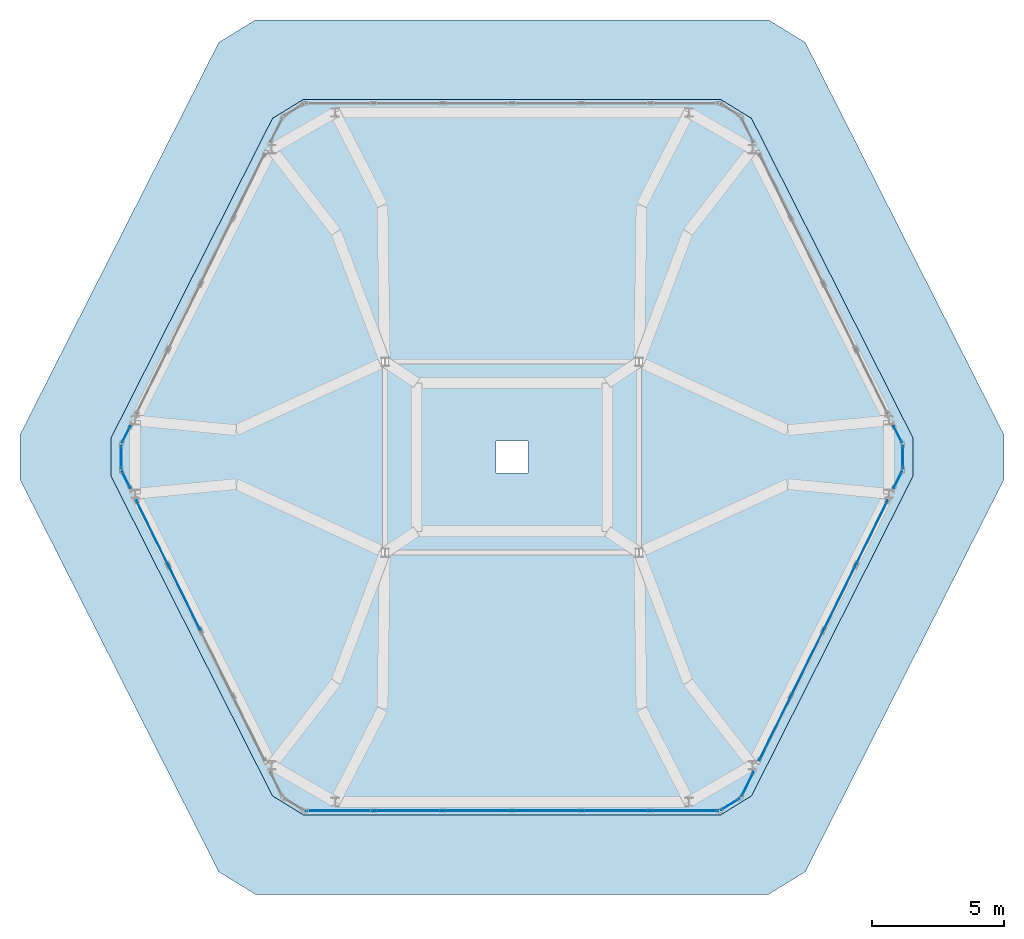
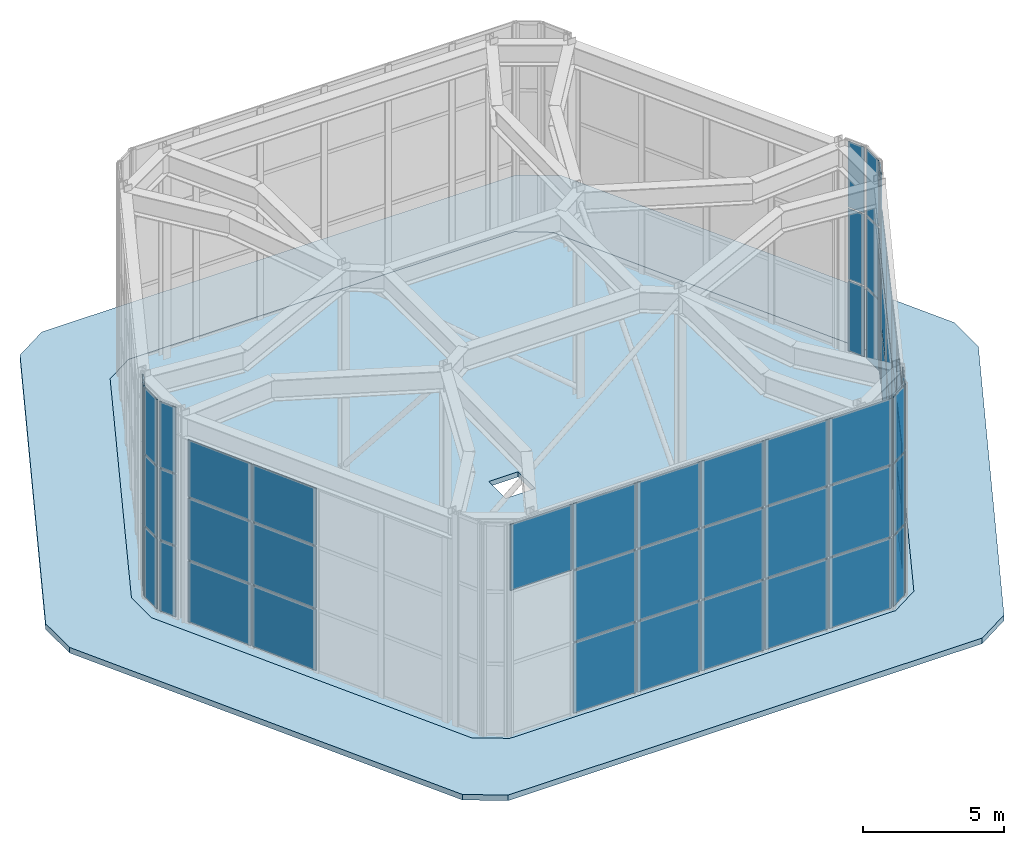
# One storey, part 9 of 10: 58 plates, 2 slabs, 11 elements without a shape of their own.
"""IFC4 building model written with IfcOpenShell, lengths in metres."""

import ifcopenshell
import ifcopenshell.guid

model = None  # the IFC model being written
_history = None  # IfcOwnerHistory: only IFC2X3 demands one
_inside = {}  # id of a spatial element -> (the spatial element, [elements in it])
_under = {}  # id of a project, library or spatial element -> (it, [spatial elements below it])
_declared = {}  # id of a project -> (the project, [libraries it declares])
_typed = {}  # id of a type object -> (the type object, [elements of that type])
_made_of = {}  # id of a material, layer set ... -> (it, [elements and type objects made of it])


def new_model(schema):
    """Start an empty IFC model of exactly this schema.

    Asked for "IFC4X3", IfcOpenShell would pick the latest addendum, in which some entities
    have other attributes; the version numbers below select the first issue.
    IFC2X3 requires an IfcOwnerHistory on every rooted entity: one is made here for all.
    """
    global model, _history
    if schema == "IFC4X3":
        model = ifcopenshell.file(schema_version=(4, 3, 0, 0))
    else:
        model = ifcopenshell.file(schema=schema)
    _inside.clear()
    _under.clear()
    _declared.clear()
    _typed.clear()
    _made_of.clear()
    _history = None
    if model.schema == "IFC2X3":
        org = make("IfcOrganization", Name="unknown")
        user = make(
            "IfcPersonAndOrganization",
            ThePerson=make("IfcPerson", FamilyName="unknown"),
            TheOrganization=org,
        )
        app = make(
            "IfcApplication",
            ApplicationDeveloper=org,
            Version="unknown",
            ApplicationFullName="unknown",
            ApplicationIdentifier="unknown",
        )
        _history = make(
            "IfcOwnerHistory",
            OwningUser=user,
            OwningApplication=app,
            ChangeAction="ADDED",
            CreationDate=0,
        )
    return model


def make(cls, **values):
    """One entity of the class cls with the attributes given. An attribute that is None is left unset."""
    return model.create_entity(
        cls, **{name: value for name, value in values.items() if value is not None}
    )


def rooted(cls, **values):
    """An entity with a GlobalId (a new one), such as an element, a storey or a relation."""
    return make(cls, GlobalId=ifcopenshell.guid.new(), OwnerHistory=_history, **values)


def si_unit(unit_type, name, prefix=None):
    """IfcSIUnit, for example si_unit("LENGTHUNIT", "METRE", prefix="MILLI")."""
    return make("IfcSIUnit", UnitType=unit_type, Prefix=prefix, Name=name)


def assignment(units):
    """IfcUnitAssignment: the units of a project."""
    return None if units is None else make("IfcUnitAssignment", Units=units)


def point(xyz):
    """IfcCartesianPoint."""
    return None if xyz is None else make("IfcCartesianPoint", Coordinates=xyz)


def direction(xyz):
    """IfcDirection."""
    return None if xyz is None else make("IfcDirection", DirectionRatios=xyz)


def frame(location, z_axis=None, x_axis=None):
    """IfcAxis2Placement3D, a coordinate frame: its origin and axes. An axis left out is left unset."""
    return make(
        "IfcAxis2Placement3D",
        Location=point(location),
        Axis=direction(z_axis),
        RefDirection=direction(x_axis),
    )


def frame_2d(location, x_axis=None):
    """IfcAxis2Placement2D, a coordinate frame in the plane: its origin and x axis."""
    return make(
        "IfcAxis2Placement2D", Location=point(location), RefDirection=direction(x_axis)
    )


def origin():
    """The frame at (0, 0, 0) with its axes left unset."""
    return frame((0.0, 0.0, 0.0))


def origin_2d():
    """The frame at (0, 0) in the plane with its x axis left unset."""
    return frame_2d((0.0, 0.0))


def place(relative_to, where):
    """IfcLocalPlacement: puts the frame where relative to a parent placement (None: the world)."""
    return make(
        "IfcLocalPlacement", PlacementRelTo=relative_to, RelativePlacement=where
    )


def context(
    kind, dimensions, precision=None, world=None, true_north=None, identifier=None
):
    """IfcGeometricRepresentationContext, for example the 3D "Model" context."""
    return make(
        "IfcGeometricRepresentationContext",
        ContextIdentifier=identifier,
        ContextType=kind,
        CoordinateSpaceDimension=dimensions,
        Precision=precision,
        WorldCoordinateSystem=world,
        TrueNorth=true_north,
    )


def subcontext(parent, identifier, kind, view, scale=None):
    """IfcGeometricRepresentationSubContext, for example "Body" below "Model"."""
    return make(
        "IfcGeometricRepresentationSubContext",
        ContextIdentifier=identifier,
        ContextType=kind,
        ParentContext=parent,
        TargetScale=scale,
        TargetView=view,
    )


def project(units=None, contexts=None):
    """IfcProject with its units and contexts."""
    return rooted(
        "IfcProject",
        Name="project",
        RepresentationContexts=contexts,
        UnitsInContext=assignment(units),
    )


def spatial(cls, under=None, at=None, **own):
    """A site, building, storey or space (cls), placed at a placement, below another one or the project."""
    s = rooted(cls, ObjectPlacement=at, **own)
    if under is not None:
        _under.setdefault(under.id(), (under, []))[1].append(s)
    return s


def polyline(points):
    """IfcPolyline through the points."""
    return make("IfcPolyline", Points=[point(p) for p in points])


def profile(cls, at=None, kind="AREA", **sizes):
    """A parametric profile (cls). Its sizes go by their IFC names, for example OverallWidth=200.0."""
    return make(cls, ProfileType=kind, Position=at, **sizes)


def rectangle(**sizes):
    """IfcRectangleProfileDef."""
    return profile("IfcRectangleProfileDef", **sizes)


def outline(outer, holes=None, kind="AREA"):
    """IfcArbitraryClosedProfileDef: a profile drawn as a closed curve; with holes, ...WithVoids."""
    if holes is None:
        return make("IfcArbitraryClosedProfileDef", ProfileType=kind, OuterCurve=outer)
    return make(
        "IfcArbitraryProfileDefWithVoids",
        ProfileType=kind,
        OuterCurve=outer,
        InnerCurves=holes,
    )


def extrude(swept, where, along, depth):
    """IfcExtrudedAreaSolid: the profile swept, set in the frame where, extruded along a direction by depth."""
    return make(
        "IfcExtrudedAreaSolid",
        SweptArea=swept,
        Position=where,
        ExtrudedDirection=direction(along),
        Depth=depth,
    )


def shape(context_of_items, identifier, shape_type, items):
    """IfcShapeRepresentation: the items that make up one representation, for example the "Body"."""
    return make(
        "IfcShapeRepresentation",
        ContextOfItems=context_of_items,
        RepresentationIdentifier=identifier,
        RepresentationType=shape_type,
        Items=items,
    )


def material(Name=None, Category=None):
    """IfcMaterial."""
    return make("IfcMaterial", Name=Name, Category=Category)


def layer(
    of_material, thickness, ventilated=None, Name=None, Category=None, Priority=None
):
    """IfcMaterialLayer: one layer of a wall or slab, of a material (None: an air gap)."""
    return make(
        "IfcMaterialLayer",
        Material=of_material,
        LayerThickness=thickness,
        IsVentilated=ventilated,
        Name=Name,
        Category=Category,
        Priority=Priority,
    )


def layer_set(layers, Name=None):
    """IfcMaterialLayerSet."""
    return make("IfcMaterialLayerSet", MaterialLayers=layers, LayerSetName=Name)


def made_of(thing, what):
    """Note that an element or type object is made of a material, layer set ...; save() writes the relation."""
    if what is not None:
        _made_of.setdefault(what.id(), (what, []))[1].append(thing)
    return thing


def type_object(cls, material=None, **own):
    """A type object (cls), such as IfcWallType, which elements share."""
    return made_of(rooted(cls, **own), material)


def element(
    cls,
    number,
    at=None,
    inside=None,
    cuts=None,
    type_object=None,
    material=None,
    context=None,
    identifier="Body",
    shape_type=None,
    held_by="IfcProductDefinitionShape",
    body=None,
    shapes=None,
    **own,
):
    """One element of the class cls, such as IfcWall. Its Tag is "e" and its number.

    at: its placement. inside: the storey or other place that contains it. cuts: it is an
    opening in that element (IfcRelVoidsElement). A single representation is given by context,
    identifier, shape_type and body (its items); several are given by shapes. held_by: the class
    of the entity that holds the representations. save() writes the other relations.
    """
    e = rooted(cls, Tag="e%d" % number, ObjectPlacement=at, **own)
    if body is not None:
        shapes = [shape(context, identifier, shape_type, body)]
    if shapes is not None:
        e.Representation = make(held_by, Representations=shapes)
    if inside is not None:
        _inside.setdefault(inside.id(), (inside, []))[1].append(e)
    if cuts is not None:
        rooted(
            "IfcRelVoidsElement", RelatingBuildingElement=cuts, RelatedOpeningElement=e
        )
    if type_object is not None:
        _typed.setdefault(type_object.id(), (type_object, []))[1].append(e)
    return made_of(e, material)


def aggregate(whole, parts):
    """IfcRelAggregates: a whole, such as a stair, and the parts it consists of."""
    return rooted("IfcRelAggregates", RelatingObject=whole, RelatedObjects=parts)


def save(model, path):
    """Write the relations noted so far, then the file.

    IfcRelAggregates (storeys below a building ...), IfcRelContainedInSpatialStructure (elements
    in a storey), IfcRelDefinesByType, IfcRelAssociatesMaterial and IfcRelDeclares: one each for
    every whole, place, type object, material and project.
    """
    for whole, parts in _under.values():
        aggregate(whole, parts)
    for where, things in _inside.values():
        rooted(
            "IfcRelContainedInSpatialStructure",
            RelatedElements=things,
            RelatingStructure=where,
        )
    for kind, things in _typed.values():
        rooted("IfcRelDefinesByType", RelatedObjects=things, RelatingType=kind)
    for what, things in _made_of.values():
        rooted("IfcRelAssociatesMaterial", RelatedObjects=things, RelatingMaterial=what)
    for by, libraries in _declared.values():
        rooted("IfcRelDeclares", RelatingContext=by, RelatedDefinitions=libraries)
    model.write(path)


model = new_model("IFC4")

# Units and contexts
model_context = context("Model", 3, precision=1e-05, world=origin(), true_north=direction((0.0, 1.0)))
body_context = subcontext(model_context, "Body", "Model", "MODEL_VIEW")
ifc_project = project(units=[si_unit("LENGTHUNIT", "METRE"), si_unit("AREAUNIT", "SQUARE_METRE"), si_unit("VOLUMEUNIT", "CUBIC_METRE"), si_unit("PLANEANGLEUNIT", "RADIAN"), si_unit("MASSUNIT", "GRAM", prefix="KILO")], contexts=[model_context])

# Site, building, storey
site_placement = place(None, origin())
site = spatial("IfcSite", under=ifc_project, at=site_placement, CompositionType="ELEMENT")
building_placement = place(site_placement, origin())
building = spatial("IfcBuilding", under=site, at=building_placement, Name="Cinnabar Lancet Tower", CompositionType="ELEMENT")
storey_placement = place(building_placement, frame((0.0, 0.0, 314.675048828125)))
storey = spatial("IfcBuildingStorey", under=building, at=storey_placement, Name="L81", CompositionType="ELEMENT", Elevation=314.675048828125)

# Curtain wall, plates
ifc_material_1 = material(Name="Thermally broken bronze-anodized aluminium and low-E glass", Category="aluminium")
ifc_layer_1 = layer(ifc_material_1, 0.179931640625)
ifc_layer_set_1 = layer_set([ifc_layer_1], Name="Thermally broken bronze-anodized aluminium and low-E glass")
curtain_wall_type = type_object("IfcCurtainWallType", Name="ENV-CW-SYS-05", PredefinedType="NOTDEFINED", material=ifc_layer_set_1)
curtain_wall_1_placement = place(storey_placement, origin())
curtain_wall_1 = element("IfcCurtainWall", 1, at=curtain_wall_1_placement, inside=storey, type_object=curtain_wall_type, Name="L81 Faceted Lancet Crown Curtain Wall 2", PredefinedType="NOTDEFINED")
ifc_material_2 = material(Name="Acoustic solar-control low-E laminated glass unit", Category="glass")
ifc_layer_2 = layer(ifc_material_2, 0.035888671875)
ifc_layer_set_2 = layer_set([ifc_layer_2], Name="Acoustic solar-control low-E laminated glass unit")
plate_type = type_object("IfcPlateType", Name="ENV-CW-PNL-36", PredefinedType="CURTAIN_PANEL", material=ifc_layer_set_2)
plate_1_placement = place(storey_placement, frame((25.87841796875, 12.449951171875, 6.26904296875), z_axis=(0.0, 0.0, 1.0), x_axis=(1.0, 0.0, 0.0)))
plate_1 = element("IfcPlate", 2, at=plate_1_placement, type_object=plate_type, Name="CW-05 panel 1.3", PredefinedType="CURTAIN_PANEL", context=body_context, shape_type="SweptSolid", body=[
    extrude(rectangle(XDim=2.524658203125, YDim=0.028076171875, at=origin_2d()), origin(), (0.0, 0.0, 1.0), 2.845947265625),
])
plate_2_placement = place(storey_placement, frame((28.47802734375, 12.449951171875, 0.06005859375), z_axis=(0.0, 0.0, 1.0), x_axis=(1.0, 0.0, 0.0)))
plate_2 = element("IfcPlate", 3, at=plate_2_placement, type_object=plate_type, Name="CW-05 panel 2.1", PredefinedType="CURTAIN_PANEL", context=body_context, shape_type="SweptSolid", body=[
    extrude(rectangle(XDim=2.5546875, YDim=0.028076171875, at=origin_2d()), origin(), (0.0, 0.0, 1.0), 3.030029296875),
])
plate_3_placement = place(storey_placement, frame((28.47802734375, 12.449951171875, 3.14990234375), z_axis=(0.0, 0.0, 1.0), x_axis=(1.0, 0.0, 0.0)))
plate_3 = element("IfcPlate", 4, at=plate_3_placement, type_object=plate_type, Name="CW-05 panel 2.2", PredefinedType="CURTAIN_PANEL", context=body_context, shape_type="SweptSolid", body=[
    extrude(rectangle(XDim=2.5546875, YDim=0.028076171875, at=origin_2d()), origin(), (0.0, 0.0, 1.0), 3.05908203125),
])
plate_4_placement = place(storey_placement, frame((28.47802734375, 12.449951171875, 6.26904296875), z_axis=(0.0, 0.0, 1.0), x_axis=(1.0, 0.0, 0.0)))
plate_4 = element("IfcPlate", 5, at=plate_4_placement, type_object=plate_type, Name="CW-05 panel 2.3", PredefinedType="CURTAIN_PANEL", context=body_context, shape_type="SweptSolid", body=[
    extrude(rectangle(XDim=2.5546875, YDim=0.028076171875, at=origin_2d()), origin(), (0.0, 0.0, 1.0), 2.845947265625),
])
plate_5_placement = place(storey_placement, frame((31.0927734375, 12.449951171875, 0.06005859375), z_axis=(0.0, 0.0, 1.0), x_axis=(1.0, 0.0, 0.0)))
plate_5 = element("IfcPlate", 6, at=plate_5_placement, type_object=plate_type, Name="CW-05 panel 3.1", PredefinedType="CURTAIN_PANEL", context=body_context, shape_type="SweptSolid", body=[
    extrude(rectangle(XDim=2.5546875, YDim=0.028076171875, at=origin_2d()), origin(), (0.0, 0.0, 1.0), 3.030029296875),
])
plate_6_placement = place(storey_placement, frame((31.0927734375, 12.449951171875, 3.14990234375), z_axis=(0.0, 0.0, 1.0), x_axis=(1.0, 0.0, 0.0)))
plate_6 = element("IfcPlate", 7, at=plate_6_placement, type_object=plate_type, Name="CW-05 panel 3.2", PredefinedType="CURTAIN_PANEL", context=body_context, shape_type="SweptSolid", body=[
    extrude(rectangle(XDim=2.5546875, YDim=0.028076171875, at=origin_2d()), origin(), (0.0, 0.0, 1.0), 3.05908203125),
])
plate_7_placement = place(storey_placement, frame((31.0927734375, 12.449951171875, 6.26904296875), z_axis=(0.0, 0.0, 1.0), x_axis=(1.0, 0.0, 0.0)))
plate_7 = element("IfcPlate", 8, at=plate_7_placement, type_object=plate_type, Name="CW-05 panel 3.3", PredefinedType="CURTAIN_PANEL", context=body_context, shape_type="SweptSolid", body=[
    extrude(rectangle(XDim=2.5546875, YDim=0.028076171875, at=origin_2d()), origin(), (0.0, 0.0, 1.0), 2.845947265625),
])
plate_8_placement = place(storey_placement, frame((33.707275390625, 12.449951171875, 0.06005859375), z_axis=(0.0, 0.0, 1.0), x_axis=(1.0, 0.0, 0.0)))
plate_8 = element("IfcPlate", 9, at=plate_8_placement, type_object=plate_type, Name="CW-05 panel 4.1", PredefinedType="CURTAIN_PANEL", context=body_context, shape_type="SweptSolid", body=[
    extrude(rectangle(XDim=2.5546875, YDim=0.028076171875, at=origin_2d()), origin(), (0.0, 0.0, 1.0), 3.030029296875),
])
plate_9_placement = place(storey_placement, frame((33.707275390625, 12.449951171875, 3.14990234375), z_axis=(0.0, 0.0, 1.0), x_axis=(1.0, 0.0, 0.0)))
plate_9 = element("IfcPlate", 10, at=plate_9_placement, type_object=plate_type, Name="CW-05 panel 4.2", PredefinedType="CURTAIN_PANEL", context=body_context, shape_type="SweptSolid", body=[
    extrude(rectangle(XDim=2.5546875, YDim=0.028076171875, at=origin_2d()), origin(), (0.0, 0.0, 1.0), 3.05908203125),
])
plate_10_placement = place(storey_placement, frame((33.707275390625, 12.449951171875, 6.26904296875), z_axis=(0.0, 0.0, 1.0), x_axis=(1.0, 0.0, 0.0)))
plate_10 = element("IfcPlate", 11, at=plate_10_placement, type_object=plate_type, Name="CW-05 panel 4.3", PredefinedType="CURTAIN_PANEL", context=body_context, shape_type="SweptSolid", body=[
    extrude(rectangle(XDim=2.5546875, YDim=0.028076171875, at=origin_2d()), origin(), (0.0, 0.0, 1.0), 2.845947265625),
])
plate_11_placement = place(storey_placement, frame((36.322021484375, 12.449951171875, 0.06005859375), z_axis=(0.0, 0.0, 1.0), x_axis=(1.0, 0.0, 0.0)))
plate_11 = element("IfcPlate", 12, at=plate_11_placement, type_object=plate_type, Name="CW-05 panel 5.1", PredefinedType="CURTAIN_PANEL", context=body_context, shape_type="SweptSolid", body=[
    extrude(rectangle(XDim=2.5546875, YDim=0.028076171875, at=origin_2d()), origin(), (0.0, 0.0, 1.0), 3.030029296875),
])
plate_12_placement = place(storey_placement, frame((36.322021484375, 12.449951171875, 3.14990234375), z_axis=(0.0, 0.0, 1.0), x_axis=(1.0, 0.0, 0.0)))
plate_12 = element("IfcPlate", 13, at=plate_12_placement, type_object=plate_type, Name="CW-05 panel 5.2", PredefinedType="CURTAIN_PANEL", context=body_context, shape_type="SweptSolid", body=[
    extrude(rectangle(XDim=2.5546875, YDim=0.028076171875, at=origin_2d()), origin(), (0.0, 0.0, 1.0), 3.05908203125),
])
plate_13_placement = place(storey_placement, frame((36.322021484375, 12.449951171875, 6.26904296875), z_axis=(0.0, 0.0, 1.0), x_axis=(1.0, 0.0, 0.0)))
plate_13 = element("IfcPlate", 14, at=plate_13_placement, type_object=plate_type, Name="CW-05 panel 5.3", PredefinedType="CURTAIN_PANEL", context=body_context, shape_type="SweptSolid", body=[
    extrude(rectangle(XDim=2.5546875, YDim=0.028076171875, at=origin_2d()), origin(), (0.0, 0.0, 1.0), 2.845947265625),
])
plate_14_placement = place(storey_placement, frame((38.921630859375, 12.449951171875, 0.06005859375), z_axis=(0.0, 0.0, 1.0), x_axis=(1.0, 0.0, 0.0)))
plate_14 = element("IfcPlate", 15, at=plate_14_placement, type_object=plate_type, Name="CW-05 panel 6.1", PredefinedType="CURTAIN_PANEL", context=body_context, shape_type="SweptSolid", body=[
    extrude(rectangle(XDim=2.524658203125, YDim=0.028076171875, at=origin_2d()), origin(), (0.0, 0.0, 1.0), 3.030029296875),
])
plate_15_placement = place(storey_placement, frame((38.921630859375, 12.449951171875, 3.14990234375), z_axis=(0.0, 0.0, 1.0), x_axis=(1.0, 0.0, 0.0)))
plate_15 = element("IfcPlate", 16, at=plate_15_placement, type_object=plate_type, Name="CW-05 panel 6.2", PredefinedType="CURTAIN_PANEL", context=body_context, shape_type="SweptSolid", body=[
    extrude(rectangle(XDim=2.524658203125, YDim=0.028076171875, at=origin_2d()), origin(), (0.0, 0.0, 1.0), 3.05908203125),
])
plate_16_placement = place(storey_placement, frame((38.921630859375, 12.449951171875, 6.26904296875), z_axis=(0.0, 0.0, 1.0), x_axis=(1.0, 0.0, 0.0)))
plate_16 = element("IfcPlate", 17, at=plate_16_placement, type_object=plate_type, Name="CW-05 panel 6.3", PredefinedType="CURTAIN_PANEL", context=body_context, shape_type="SweptSolid", body=[
    extrude(rectangle(XDim=2.524658203125, YDim=0.028076171875, at=origin_2d()), origin(), (0.0, 0.0, 1.0), 2.845947265625),
])
aggregate(curtain_wall_1, [plate_1, plate_2, plate_3, plate_4, plate_5, plate_6, plate_7, plate_8, plate_9, plate_10, plate_11, plate_12, plate_13, plate_14, plate_15, plate_16])

curtain_wall_2_placement = place(storey_placement, origin())
curtain_wall_2 = element("IfcCurtainWall", 18, at=curtain_wall_2_placement, inside=storey, type_object=curtain_wall_type, Name="L81 Faceted Lancet Crown Curtain Wall 3", PredefinedType="NOTDEFINED")
plate_17_placement = place(storey_placement, frame((40.640380859375, 12.696533203125, 0.06005859375), z_axis=(0.0, 0.0, 1.0), x_axis=(0.849259368802, 0.527975874925, 0.0)))
plate_17 = element("IfcPlate", 19, at=plate_17_placement, type_object=plate_type, Name="CW-05 panel 1.1", PredefinedType="CURTAIN_PANEL", context=body_context, shape_type="SweptSolid", body=[
    extrude(rectangle(XDim=0.813720703125, YDim=0.028076171875, at=origin_2d()), origin(), (0.0, 0.0, 1.0), 3.030029296875),
])
plate_18_placement = place(storey_placement, frame((40.640380859375, 12.696533203125, 3.14990234375), z_axis=(0.0, 0.0, 1.0), x_axis=(0.849259368802, 0.527975874925, 0.0)))
plate_18 = element("IfcPlate", 20, at=plate_18_placement, type_object=plate_type, Name="CW-05 panel 1.2", PredefinedType="CURTAIN_PANEL", context=body_context, shape_type="SweptSolid", body=[
    extrude(rectangle(XDim=0.813720703125, YDim=0.028076171875, at=origin_2d()), origin(), (0.0, 0.0, 1.0), 3.05908203125),
])
plate_19_placement = place(storey_placement, frame((40.640380859375, 12.696533203125, 6.26904296875), z_axis=(0.0, 0.0, 1.0), x_axis=(0.849259368802, 0.527975874925, 0.0)))
plate_19 = element("IfcPlate", 21, at=plate_19_placement, type_object=plate_type, Name="CW-05 panel 1.3", PredefinedType="CURTAIN_PANEL", context=body_context, shape_type="SweptSolid", body=[
    extrude(rectangle(XDim=0.813720703125, YDim=0.028076171875, at=origin_2d()), origin(), (0.0, 0.0, 1.0), 2.845947265625),
])
aggregate(curtain_wall_2, [plate_17, plate_18, plate_19])

curtain_wall_3_placement = place(storey_placement, origin())
curtain_wall_3 = element("IfcCurtainWall", 22, at=curtain_wall_3_placement, inside=storey, type_object=curtain_wall_type, Name="L81 Faceted Lancet Crown Curtain Wall 4", PredefinedType="NOTDEFINED")
plate_20_placement = place(storey_placement, frame((41.29052734375, 13.45556640625, 0.06005859375), z_axis=(0.0, 0.0, 1.0), x_axis=(0.443361742062, 0.896342772424, 0.0)))
plate_20 = element("IfcPlate", 23, at=plate_20_placement, type_object=plate_type, Name="CW-05 panel 1.1", PredefinedType="CURTAIN_PANEL", context=body_context, shape_type="SweptSolid", body=[
    extrude(rectangle(XDim=1.0234375, YDim=0.028076171875, at=origin_2d()), origin(), (0.0, 0.0, 1.0), 3.030029296875),
])
plate_21_placement = place(storey_placement, frame((41.29052734375, 13.45556640625, 3.14990234375), z_axis=(0.0, 0.0, 1.0), x_axis=(0.443361742062, 0.896342772424, 0.0)))
plate_21 = element("IfcPlate", 24, at=plate_21_placement, type_object=plate_type, Name="CW-05 panel 1.2", PredefinedType="CURTAIN_PANEL", context=body_context, shape_type="SweptSolid", body=[
    extrude(rectangle(XDim=1.0234375, YDim=0.028076171875, at=origin_2d()), origin(), (0.0, 0.0, 1.0), 3.05908203125),
])
plate_22_placement = place(storey_placement, frame((41.29052734375, 13.45556640625, 6.26904296875), z_axis=(0.0, 0.0, 1.0), x_axis=(0.443361742062, 0.896342772424, 0.0)))
plate_22 = element("IfcPlate", 25, at=plate_22_placement, type_object=plate_type, Name="CW-05 panel 1.3", PredefinedType="CURTAIN_PANEL", context=body_context, shape_type="SweptSolid", body=[
    extrude(rectangle(XDim=1.0234375, YDim=0.028076171875, at=origin_2d()), origin(), (0.0, 0.0, 1.0), 2.845947265625),
])
aggregate(curtain_wall_3, [plate_20, plate_21, plate_22])

curtain_wall_4_placement = place(storey_placement, origin())
curtain_wall_4 = element("IfcCurtainWall", 26, at=curtain_wall_4_placement, inside=storey, type_object=curtain_wall_type, Name="L81 Faceted Lancet Crown Curtain Wall 5", PredefinedType="NOTDEFINED")
plate_23_placement = place(storey_placement, frame((42.32568359375, 15.551513671875, 0.06005859375), z_axis=(0.0, 0.0, 1.0), x_axis=(0.442939207335, 0.896551648599, 0.0)))
plate_23 = element("IfcPlate", 27, at=plate_23_placement, type_object=plate_type, Name="CW-05 panel 1.1", PredefinedType="CURTAIN_PANEL", context=body_context, shape_type="SweptSolid", body=[
    extrude(rectangle(XDim=2.673828125, YDim=0.028076171875, at=origin_2d()), origin(), (0.0, 0.0, 1.0), 2.6279296875),
])
plate_24_placement = place(storey_placement, frame((42.32568359375, 15.551513671875, 2.748046875), z_axis=(0.0, 0.0, 1.0), x_axis=(0.442939207335, 0.896551648599, 0.0)))
plate_24 = element("IfcPlate", 28, at=plate_24_placement, type_object=plate_type, Name="CW-05 panel 1.2", PredefinedType="CURTAIN_PANEL", context=body_context, shape_type="SweptSolid", body=[
    extrude(rectangle(XDim=2.673828125, YDim=0.028076171875, at=origin_2d()), origin(), (0.0, 0.0, 1.0), 2.657958984375),
])
plate_25_placement = place(storey_placement, frame((42.32568359375, 15.551513671875, 5.4658203125), z_axis=(0.0, 0.0, 1.0), x_axis=(0.442939207335, 0.896551648599, 0.0)))
plate_25 = element("IfcPlate", 29, at=plate_25_placement, type_object=plate_type, Name="CW-05 panel 1.3", PredefinedType="CURTAIN_PANEL", context=body_context, shape_type="SweptSolid", body=[
    extrude(rectangle(XDim=2.673828125, YDim=0.028076171875, at=origin_2d()), origin(), (0.0, 0.0, 1.0), 2.468017578125),
])
plate_26_placement = place(storey_placement, frame((43.54345703125, 18.01611328125, 0.06005859375), z_axis=(0.0, 0.0, 1.0), x_axis=(0.442939207335, 0.896551648599, 0.0)))
plate_26 = element("IfcPlate", 30, at=plate_26_placement, type_object=plate_type, Name="CW-05 panel 2.1", PredefinedType="CURTAIN_PANEL", context=body_context, shape_type="SweptSolid", body=[
    extrude(rectangle(XDim=2.703857421875, YDim=0.028076171875, at=origin_2d()), origin(), (0.0, 0.0, 1.0), 2.6279296875),
])
plate_27_placement = place(storey_placement, frame((43.54345703125, 18.01611328125, 2.748046875), z_axis=(0.0, 0.0, 1.0), x_axis=(0.442939207335, 0.896551648599, 0.0)))
plate_27 = element("IfcPlate", 31, at=plate_27_placement, type_object=plate_type, Name="CW-05 panel 2.2", PredefinedType="CURTAIN_PANEL", context=body_context, shape_type="SweptSolid", body=[
    extrude(rectangle(XDim=2.703857421875, YDim=0.028076171875, at=origin_2d()), origin(), (0.0, 0.0, 1.0), 2.657958984375),
])
plate_28_placement = place(storey_placement, frame((43.54345703125, 18.01611328125, 5.4658203125), z_axis=(0.0, 0.0, 1.0), x_axis=(0.442939207335, 0.896551648599, 0.0)))
plate_28 = element("IfcPlate", 32, at=plate_28_placement, type_object=plate_type, Name="CW-05 panel 2.3", PredefinedType="CURTAIN_PANEL", context=body_context, shape_type="SweptSolid", body=[
    extrude(rectangle(XDim=2.703857421875, YDim=0.028076171875, at=origin_2d()), origin(), (0.0, 0.0, 1.0), 2.468017578125),
])
plate_29_placement = place(storey_placement, frame((44.767578125, 20.493896484375, 0.06005859375), z_axis=(0.0, 0.0, 1.0), x_axis=(0.442939207335, 0.896551648599, 0.0)))
plate_29 = element("IfcPlate", 33, at=plate_29_placement, type_object=plate_type, Name="CW-05 panel 3.1", PredefinedType="CURTAIN_PANEL", context=body_context, shape_type="SweptSolid", body=[
    extrude(rectangle(XDim=2.703857421875, YDim=0.028076171875, at=origin_2d()), origin(), (0.0, 0.0, 1.0), 2.6279296875),
])
plate_30_placement = place(storey_placement, frame((44.767578125, 20.493896484375, 2.748046875), z_axis=(0.0, 0.0, 1.0), x_axis=(0.442939207335, 0.896551648599, 0.0)))
plate_30 = element("IfcPlate", 34, at=plate_30_placement, type_object=plate_type, Name="CW-05 panel 3.2", PredefinedType="CURTAIN_PANEL", context=body_context, shape_type="SweptSolid", body=[
    extrude(rectangle(XDim=2.703857421875, YDim=0.028076171875, at=origin_2d()), origin(), (0.0, 0.0, 1.0), 2.657958984375),
])
plate_31_placement = place(storey_placement, frame((44.767578125, 20.493896484375, 5.4658203125), z_axis=(0.0, 0.0, 1.0), x_axis=(0.442939207335, 0.896551648599, 0.0)))
plate_31 = element("IfcPlate", 35, at=plate_31_placement, type_object=plate_type, Name="CW-05 panel 3.3", PredefinedType="CURTAIN_PANEL", context=body_context, shape_type="SweptSolid", body=[
    extrude(rectangle(XDim=2.703857421875, YDim=0.028076171875, at=origin_2d()), origin(), (0.0, 0.0, 1.0), 2.468017578125),
])
plate_32_placement = place(storey_placement, frame((45.9853515625, 22.95849609375, 0.06005859375), z_axis=(0.0, 0.0, 1.0), x_axis=(0.442939207335, 0.896551648599, 0.0)))
plate_32 = element("IfcPlate", 36, at=plate_32_placement, type_object=plate_type, Name="CW-05 panel 4.1", PredefinedType="CURTAIN_PANEL", context=body_context, shape_type="SweptSolid", body=[
    extrude(rectangle(XDim=2.673828125, YDim=0.028076171875, at=origin_2d()), origin(), (0.0, 0.0, 1.0), 2.6279296875),
])
plate_33_placement = place(storey_placement, frame((45.9853515625, 22.95849609375, 2.748046875), z_axis=(0.0, 0.0, 1.0), x_axis=(0.442939207335, 0.896551648599, 0.0)))
plate_33 = element("IfcPlate", 37, at=plate_33_placement, type_object=plate_type, Name="CW-05 panel 4.2", PredefinedType="CURTAIN_PANEL", context=body_context, shape_type="SweptSolid", body=[
    extrude(rectangle(XDim=2.673828125, YDim=0.028076171875, at=origin_2d()), origin(), (0.0, 0.0, 1.0), 2.657958984375),
])
plate_34_placement = place(storey_placement, frame((45.9853515625, 22.95849609375, 5.4658203125), z_axis=(0.0, 0.0, 1.0), x_axis=(0.442939207335, 0.896551648599, 0.0)))
plate_34 = element("IfcPlate", 38, at=plate_34_placement, type_object=plate_type, Name="CW-05 panel 4.3", PredefinedType="CURTAIN_PANEL", context=body_context, shape_type="SweptSolid", body=[
    extrude(rectangle(XDim=2.673828125, YDim=0.028076171875, at=origin_2d()), origin(), (0.0, 0.0, 1.0), 2.468017578125),
])
aggregate(curtain_wall_4, [plate_23, plate_24, plate_25, plate_26, plate_27, plate_28, plate_29, plate_30, plate_31, plate_32, plate_33, plate_34])

curtain_wall_5_placement = place(storey_placement, origin())
curtain_wall_5 = element("IfcCurtainWall", 39, at=curtain_wall_5_placement, inside=storey, type_object=curtain_wall_type, Name="L81 Faceted Lancet Crown Curtain Wall 6", PredefinedType="NOTDEFINED")
plate_35_placement = place(storey_placement, frame((46.965576171875, 24.943603515625, 0.06005859375), z_axis=(0.0, 0.0, 1.0), x_axis=(0.442768071222, 0.89663617767, 0.0)))
plate_35 = element("IfcPlate", 40, at=plate_35_placement, type_object=plate_type, Name="CW-05 panel 1.1", PredefinedType="CURTAIN_PANEL", context=body_context, shape_type="SweptSolid", body=[
    extrude(rectangle(XDim=0.69091796875, YDim=0.028076171875, at=origin_2d()), origin(), (0.0, 0.0, 1.0), 3.030029296875),
])
plate_36_placement = place(storey_placement, frame((46.965576171875, 24.943603515625, 3.14990234375), z_axis=(0.0, 0.0, 1.0), x_axis=(0.442768071222, 0.89663617767, 0.0)))
plate_36 = element("IfcPlate", 41, at=plate_36_placement, type_object=plate_type, Name="CW-05 panel 1.2", PredefinedType="CURTAIN_PANEL", context=body_context, shape_type="SweptSolid", body=[
    extrude(rectangle(XDim=0.69091796875, YDim=0.028076171875, at=origin_2d()), origin(), (0.0, 0.0, 1.0), 3.05908203125),
])
plate_37_placement = place(storey_placement, frame((46.965576171875, 24.943603515625, 6.26904296875), z_axis=(0.0, 0.0, 1.0), x_axis=(0.442768071222, 0.89663617767, 0.0)))
plate_37 = element("IfcPlate", 42, at=plate_37_placement, type_object=plate_type, Name="CW-05 panel 1.3", PredefinedType="CURTAIN_PANEL", context=body_context, shape_type="SweptSolid", body=[
    extrude(rectangle(XDim=0.69091796875, YDim=0.028076171875, at=origin_2d()), origin(), (0.0, 0.0, 1.0), 2.845947265625),
])
aggregate(curtain_wall_5, [plate_35, plate_36, plate_37])

curtain_wall_6_placement = place(storey_placement, origin())
curtain_wall_6 = element("IfcCurtainWall", 43, at=curtain_wall_6_placement, inside=storey, type_object=curtain_wall_type, Name="L81 Faceted Lancet Crown Curtain Wall 7", PredefinedType="NOTDEFINED")
plate_38_placement = place(storey_placement, frame((47.14501953125, 25.800048828125, 0.06005859375), z_axis=(0.0, 0.0, 1.0), x_axis=(0.0, 1.0, 0.0)))
plate_38 = element("IfcPlate", 44, at=plate_38_placement, type_object=plate_type, Name="CW-05 panel 1.1", PredefinedType="CURTAIN_PANEL", context=body_context, shape_type="SweptSolid", body=[
    extrude(rectangle(XDim=0.865966796875, YDim=0.028076171875, at=origin_2d()), origin(), (0.0, 0.0, 1.0), 3.030029296875),
])
plate_39_placement = place(storey_placement, frame((47.14501953125, 25.800048828125, 3.14990234375), z_axis=(0.0, 0.0, 1.0), x_axis=(0.0, 1.0, 0.0)))
plate_39 = element("IfcPlate", 45, at=plate_39_placement, type_object=plate_type, Name="CW-05 panel 1.2", PredefinedType="CURTAIN_PANEL", context=body_context, shape_type="SweptSolid", body=[
    extrude(rectangle(XDim=0.865966796875, YDim=0.028076171875, at=origin_2d()), origin(), (0.0, 0.0, 1.0), 3.05908203125),
])
plate_40_placement = place(storey_placement, frame((47.14501953125, 25.800048828125, 6.26904296875), z_axis=(0.0, 0.0, 1.0), x_axis=(0.0, 1.0, 0.0)))
plate_40 = element("IfcPlate", 46, at=plate_40_placement, type_object=plate_type, Name="CW-05 panel 1.3", PredefinedType="CURTAIN_PANEL", context=body_context, shape_type="SweptSolid", body=[
    extrude(rectangle(XDim=0.865966796875, YDim=0.028076171875, at=origin_2d()), origin(), (0.0, 0.0, 1.0), 2.845947265625),
])
aggregate(curtain_wall_6, [plate_38, plate_39, plate_40])

curtain_wall_7_placement = place(storey_placement, origin())
curtain_wall_7 = element("IfcCurtainWall", 47, at=curtain_wall_7_placement, inside=storey, type_object=curtain_wall_type, Name="L81 Faceted Lancet Crown Curtain Wall 8", PredefinedType="NOTDEFINED")
plate_41_placement = place(storey_placement, frame((46.965576171875, 26.656494140625, 0.06005859375), z_axis=(0.0, 0.0, 1.0), x_axis=(-0.442768071222, 0.89663617767, 0.0)))
plate_41 = element("IfcPlate", 48, at=plate_41_placement, type_object=plate_type, Name="CW-05 panel 1.1", PredefinedType="CURTAIN_PANEL", context=body_context, shape_type="SweptSolid", body=[
    extrude(rectangle(XDim=0.69091796875, YDim=0.028076171875, at=origin_2d()), origin(), (0.0, 0.0, 1.0), 3.030029296875),
])
plate_42_placement = place(storey_placement, frame((46.965576171875, 26.656494140625, 3.14990234375), z_axis=(0.0, 0.0, 1.0), x_axis=(-0.442768071222, 0.89663617767, 0.0)))
plate_42 = element("IfcPlate", 49, at=plate_42_placement, type_object=plate_type, Name="CW-05 panel 1.2", PredefinedType="CURTAIN_PANEL", context=body_context, shape_type="SweptSolid", body=[
    extrude(rectangle(XDim=0.69091796875, YDim=0.028076171875, at=origin_2d()), origin(), (0.0, 0.0, 1.0), 3.05908203125),
])
plate_43_placement = place(storey_placement, frame((46.965576171875, 26.656494140625, 6.26904296875), z_axis=(0.0, 0.0, 1.0), x_axis=(-0.442768071222, 0.89663617767, 0.0)))
plate_43 = element("IfcPlate", 50, at=plate_43_placement, type_object=plate_type, Name="CW-05 panel 1.3", PredefinedType="CURTAIN_PANEL", context=body_context, shape_type="SweptSolid", body=[
    extrude(rectangle(XDim=0.69091796875, YDim=0.028076171875, at=origin_2d()), origin(), (0.0, 0.0, 1.0), 2.845947265625),
])
aggregate(curtain_wall_7, [plate_41, plate_42, plate_43])

curtain_wall_8_placement = place(storey_placement, origin())
curtain_wall_8 = element("IfcCurtainWall", 51, at=curtain_wall_8_placement, inside=storey, type_object=curtain_wall_type, Name="L81 Faceted Lancet Crown Curtain Wall 16", PredefinedType="NOTDEFINED")
plate_44_placement = place(storey_placement, frame((17.83447265625, 26.656494140625, 0.06005859375), z_axis=(0.0, 0.0, 1.0), x_axis=(-0.442768071222, -0.89663617767, 0.0)))
plate_44 = element("IfcPlate", 52, at=plate_44_placement, type_object=plate_type, Name="CW-05 panel 1.1", PredefinedType="CURTAIN_PANEL", context=body_context, shape_type="SweptSolid", body=[
    extrude(rectangle(XDim=0.69091796875, YDim=0.028076171875, at=origin_2d()), origin(), (0.0, 0.0, 1.0), 3.030029296875),
])
plate_45_placement = place(storey_placement, frame((17.83447265625, 26.656494140625, 3.14990234375), z_axis=(0.0, 0.0, 1.0), x_axis=(-0.442768071222, -0.89663617767, 0.0)))
plate_45 = element("IfcPlate", 53, at=plate_45_placement, type_object=plate_type, Name="CW-05 panel 1.2", PredefinedType="CURTAIN_PANEL", context=body_context, shape_type="SweptSolid", body=[
    extrude(rectangle(XDim=0.69091796875, YDim=0.028076171875, at=origin_2d()), origin(), (0.0, 0.0, 1.0), 3.05908203125),
])
plate_46_placement = place(storey_placement, frame((17.83447265625, 26.656494140625, 6.26904296875), z_axis=(0.0, 0.0, 1.0), x_axis=(-0.442768071222, -0.89663617767, 0.0)))
plate_46 = element("IfcPlate", 54, at=plate_46_placement, type_object=plate_type, Name="CW-05 panel 1.3", PredefinedType="CURTAIN_PANEL", context=body_context, shape_type="SweptSolid", body=[
    extrude(rectangle(XDim=0.69091796875, YDim=0.028076171875, at=origin_2d()), origin(), (0.0, 0.0, 1.0), 2.845947265625),
])
aggregate(curtain_wall_8, [plate_44, plate_45, plate_46])

curtain_wall_9_placement = place(storey_placement, origin())
curtain_wall_9 = element("IfcCurtainWall", 55, at=curtain_wall_9_placement, inside=storey, type_object=curtain_wall_type, Name="L81 Faceted Lancet Crown Curtain Wall 17", PredefinedType="NOTDEFINED")
plate_47_placement = place(storey_placement, frame((17.655029296875, 25.800048828125, 0.06005859375), z_axis=(0.0, 0.0, 1.0), x_axis=(0.0, -1.0, 0.0)))
plate_47 = element("IfcPlate", 56, at=plate_47_placement, type_object=plate_type, Name="CW-05 panel 1.1", PredefinedType="CURTAIN_PANEL", context=body_context, shape_type="SweptSolid", body=[
    extrude(rectangle(XDim=0.865966796875, YDim=0.028076171875, at=origin_2d()), origin(), (0.0, 0.0, 1.0), 3.030029296875),
])
plate_48_placement = place(storey_placement, frame((17.655029296875, 25.800048828125, 3.14990234375), z_axis=(0.0, 0.0, 1.0), x_axis=(0.0, -1.0, 0.0)))
plate_48 = element("IfcPlate", 57, at=plate_48_placement, type_object=plate_type, Name="CW-05 panel 1.2", PredefinedType="CURTAIN_PANEL", context=body_context, shape_type="SweptSolid", body=[
    extrude(rectangle(XDim=0.865966796875, YDim=0.028076171875, at=origin_2d()), origin(), (0.0, 0.0, 1.0), 3.05908203125),
])
plate_49_placement = place(storey_placement, frame((17.655029296875, 25.800048828125, 6.26904296875), z_axis=(0.0, 0.0, 1.0), x_axis=(0.0, -1.0, 0.0)))
plate_49 = element("IfcPlate", 58, at=plate_49_placement, type_object=plate_type, Name="CW-05 panel 1.3", PredefinedType="CURTAIN_PANEL", context=body_context, shape_type="SweptSolid", body=[
    extrude(rectangle(XDim=0.865966796875, YDim=0.028076171875, at=origin_2d()), origin(), (0.0, 0.0, 1.0), 2.845947265625),
])
aggregate(curtain_wall_9, [plate_47, plate_48, plate_49])

curtain_wall_10_placement = place(storey_placement, origin())
curtain_wall_10 = element("IfcCurtainWall", 59, at=curtain_wall_10_placement, inside=storey, type_object=curtain_wall_type, Name="L81 Faceted Lancet Crown Curtain Wall 18", PredefinedType="NOTDEFINED")
plate_50_placement = place(storey_placement, frame((17.83447265625, 24.943603515625, 0.06005859375), z_axis=(0.0, 0.0, 1.0), x_axis=(0.442768071222, -0.89663617767, 0.0)))
plate_50 = element("IfcPlate", 60, at=plate_50_placement, type_object=plate_type, Name="CW-05 panel 1.1", PredefinedType="CURTAIN_PANEL", context=body_context, shape_type="SweptSolid", body=[
    extrude(rectangle(XDim=0.69091796875, YDim=0.028076171875, at=origin_2d()), origin(), (0.0, 0.0, 1.0), 3.030029296875),
])
plate_51_placement = place(storey_placement, frame((17.83447265625, 24.943603515625, 3.14990234375), z_axis=(0.0, 0.0, 1.0), x_axis=(0.442768071222, -0.89663617767, 0.0)))
plate_51 = element("IfcPlate", 61, at=plate_51_placement, type_object=plate_type, Name="CW-05 panel 1.2", PredefinedType="CURTAIN_PANEL", context=body_context, shape_type="SweptSolid", body=[
    extrude(rectangle(XDim=0.69091796875, YDim=0.028076171875, at=origin_2d()), origin(), (0.0, 0.0, 1.0), 3.05908203125),
])
plate_52_placement = place(storey_placement, frame((17.83447265625, 24.943603515625, 6.26904296875), z_axis=(0.0, 0.0, 1.0), x_axis=(0.442768071222, -0.89663617767, 0.0)))
plate_52 = element("IfcPlate", 62, at=plate_52_placement, type_object=plate_type, Name="CW-05 panel 1.3", PredefinedType="CURTAIN_PANEL", context=body_context, shape_type="SweptSolid", body=[
    extrude(rectangle(XDim=0.69091796875, YDim=0.028076171875, at=origin_2d()), origin(), (0.0, 0.0, 1.0), 2.845947265625),
])
aggregate(curtain_wall_10, [plate_50, plate_51, plate_52])

curtain_wall_11_placement = place(storey_placement, origin())
curtain_wall_11 = element("IfcCurtainWall", 63, at=curtain_wall_11_placement, inside=storey, type_object=curtain_wall_type, Name="L81 Faceted Lancet Crown Curtain Wall 19", PredefinedType="NOTDEFINED")
plate_53_placement = place(storey_placement, frame((18.814697265625, 22.95849609375, 0.06005859375), z_axis=(0.0, 0.0, 1.0), x_axis=(0.442939207335, -0.896551648599, 0.0)))
plate_53 = element("IfcPlate", 64, at=plate_53_placement, type_object=plate_type, Name="CW-05 panel 1.1", PredefinedType="CURTAIN_PANEL", context=body_context, shape_type="SweptSolid", body=[
    extrude(rectangle(XDim=2.673828125, YDim=0.028076171875, at=origin_2d()), origin(), (0.0, 0.0, 1.0), 2.6279296875),
])
plate_54_placement = place(storey_placement, frame((18.814697265625, 22.95849609375, 2.748046875), z_axis=(0.0, 0.0, 1.0), x_axis=(0.442939207335, -0.896551648599, 0.0)))
plate_54 = element("IfcPlate", 65, at=plate_54_placement, type_object=plate_type, Name="CW-05 panel 1.2", PredefinedType="CURTAIN_PANEL", context=body_context, shape_type="SweptSolid", body=[
    extrude(rectangle(XDim=2.673828125, YDim=0.028076171875, at=origin_2d()), origin(), (0.0, 0.0, 1.0), 2.657958984375),
])
plate_55_placement = place(storey_placement, frame((18.814697265625, 22.95849609375, 5.4658203125), z_axis=(0.0, 0.0, 1.0), x_axis=(0.442939207335, -0.896551648599, 0.0)))
plate_55 = element("IfcPlate", 66, at=plate_55_placement, type_object=plate_type, Name="CW-05 panel 1.3", PredefinedType="CURTAIN_PANEL", context=body_context, shape_type="SweptSolid", body=[
    extrude(rectangle(XDim=2.673828125, YDim=0.028076171875, at=origin_2d()), origin(), (0.0, 0.0, 1.0), 2.468017578125),
])
plate_56_placement = place(storey_placement, frame((20.032470703125, 20.493896484375, 0.06005859375), z_axis=(0.0, 0.0, 1.0), x_axis=(0.442939207335, -0.896551648599, 0.0)))
plate_56 = element("IfcPlate", 67, at=plate_56_placement, type_object=plate_type, Name="CW-05 panel 2.1", PredefinedType="CURTAIN_PANEL", context=body_context, shape_type="SweptSolid", body=[
    extrude(rectangle(XDim=2.703857421875, YDim=0.028076171875, at=origin_2d()), origin(), (0.0, 0.0, 1.0), 2.6279296875),
])
plate_57_placement = place(storey_placement, frame((20.032470703125, 20.493896484375, 2.748046875), z_axis=(0.0, 0.0, 1.0), x_axis=(0.442939207335, -0.896551648599, 0.0)))
plate_57 = element("IfcPlate", 68, at=plate_57_placement, type_object=plate_type, Name="CW-05 panel 2.2", PredefinedType="CURTAIN_PANEL", context=body_context, shape_type="SweptSolid", body=[
    extrude(rectangle(XDim=2.703857421875, YDim=0.028076171875, at=origin_2d()), origin(), (0.0, 0.0, 1.0), 2.657958984375),
])
plate_58_placement = place(storey_placement, frame((20.032470703125, 20.493896484375, 5.4658203125), z_axis=(0.0, 0.0, 1.0), x_axis=(0.442939207335, -0.896551648599, 0.0)))
plate_58 = element("IfcPlate", 69, at=plate_58_placement, type_object=plate_type, Name="CW-05 panel 2.3", PredefinedType="CURTAIN_PANEL", context=body_context, shape_type="SweptSolid", body=[
    extrude(rectangle(XDim=2.703857421875, YDim=0.028076171875, at=origin_2d()), origin(), (0.0, 0.0, 1.0), 2.468017578125),
])
aggregate(curtain_wall_11, [plate_53, plate_54, plate_55, plate_56, plate_57, plate_58])

# Slabs
ifc_material_3 = material(Name="Concrete C45/55", Category="concrete")
ifc_layer_3 = layer(ifc_material_3, 0.219970703125)
ifc_layer_set_3 = layer_set([ifc_layer_3], Name="Concrete C45/55")
slab_type_1 = type_object("IfcSlabType", Name="STR-SLB-ROOF-220", PredefinedType="ROOF", material=ifc_layer_set_3)
slab_1_placement = place(storey_placement, frame((0.0, 0.0, -0.219970703125)))
element("IfcSlab", 70, at=slab_1_placement, inside=storey, type_object=slab_type_1, Name="L81 Crown Structural Deck Roof Slab", PredefinedType="ROOF", context=body_context, shape_type="SweptSolid", body=[
    extrude(outline(polyline([(23.35888671875, 13.013916015625), (24.52001953125, 12.300048828125), (40.280029296875, 12.300048828125), (41.44091796875, 13.013916015625), (47.5390625, 25.0859375), (47.5390625, 26.513916015625), (41.44091796875, 38.5859375), (40.280029296875, 39.300048828125), (24.52001953125, 39.300048828125), (23.35888671875, 38.5859375), (17.260986328125, 26.513916015625), (17.260986328125, 25.0859375), (23.35888671875, 13.013916015625)]), holes=[polyline([(31.800048828125, 25.199951171875), (33.0, 25.199951171875), (33.0, 26.39990234375), (31.800048828125, 26.39990234375), (31.800048828125, 25.199951171875)])]), origin(), (0.0, 0.0, 1.0), 0.219970703125),
])
ifc_material_4 = material(Name="Concrete C45/55", Category="concrete")
ifc_layer_4 = layer(ifc_material_4, 0.239990234375)
ifc_layer_set_4 = layer_set([ifc_layer_4], Name="Concrete C45/55")
slab_type_2 = type_object("IfcSlabType", Name="STR-SLB-ROOF-240", PredefinedType="ROOF", material=ifc_layer_set_4)
slab_2_placement = place(storey_placement, frame((0.0, 0.0, -0.239990234375)))
element("IfcSlab", 71, at=slab_2_placement, inside=storey, type_object=slab_type_2, Name="L81 Crown Step-In Roof Apron", PredefinedType="ROOF", context=body_context, shape_type="SweptSolid", body=[
    extrude(outline(polyline([(21.3310546875, 10.14697265625), (22.7099609375, 9.300048828125), (42.090087890625, 9.300048828125), (43.468994140625, 10.14697265625), (50.970947265625, 24.952880859375), (50.970947265625, 26.64697265625), (43.468994140625, 41.452880859375), (42.090087890625, 42.300048828125), (22.7099609375, 42.300048828125), (21.3310546875, 41.452880859375), (13.8291015625, 26.64697265625), (13.8291015625, 24.952880859375), (21.3310546875, 10.14697265625)]), holes=[polyline([(23.35888671875, 13.013916015625), (24.52001953125, 12.300048828125), (40.280029296875, 12.300048828125), (41.44091796875, 13.013916015625), (47.5390625, 25.0859375), (47.5390625, 26.513916015625), (41.44091796875, 38.5859375), (40.280029296875, 39.300048828125), (24.52001953125, 39.300048828125), (23.35888671875, 38.5859375), (17.260986328125, 26.513916015625), (17.260986328125, 25.0859375), (23.35888671875, 13.013916015625)])]), origin(), (0.0, 0.0, 1.0), 0.239990234375),
])

save(model, "model.ifc")
